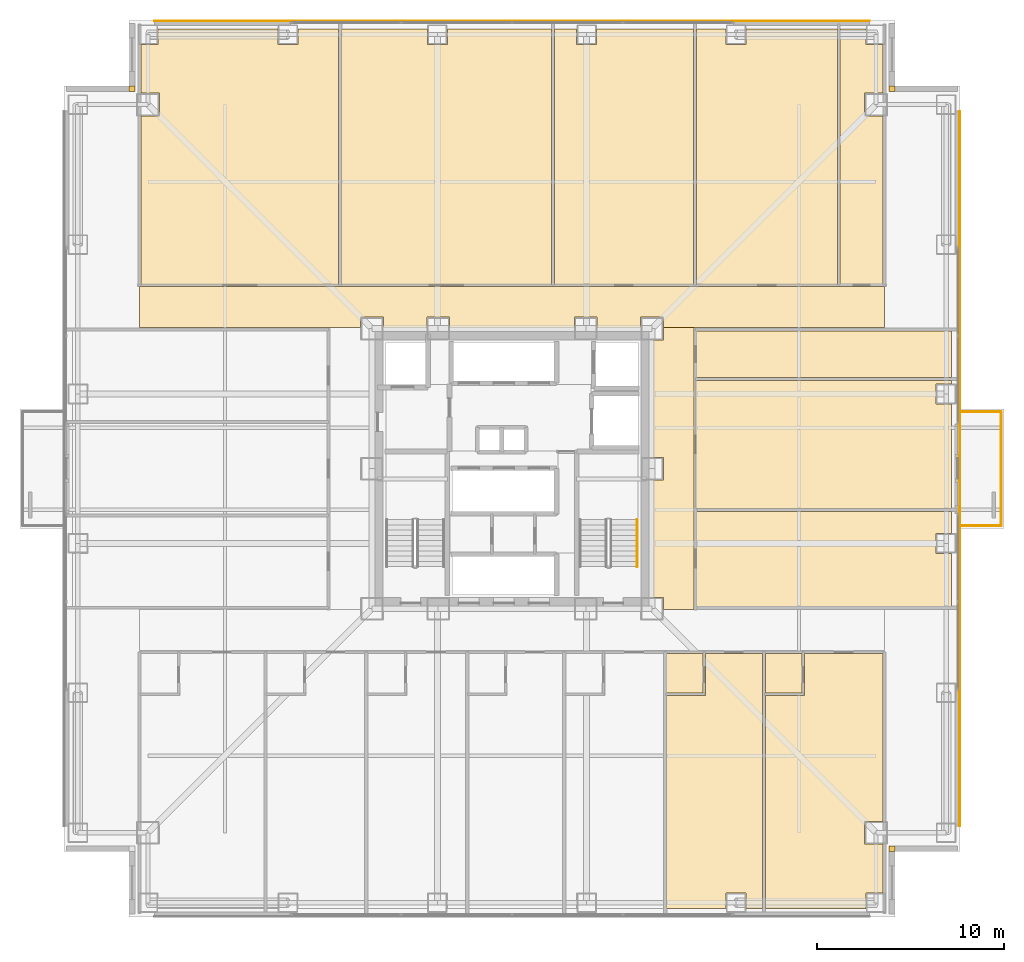
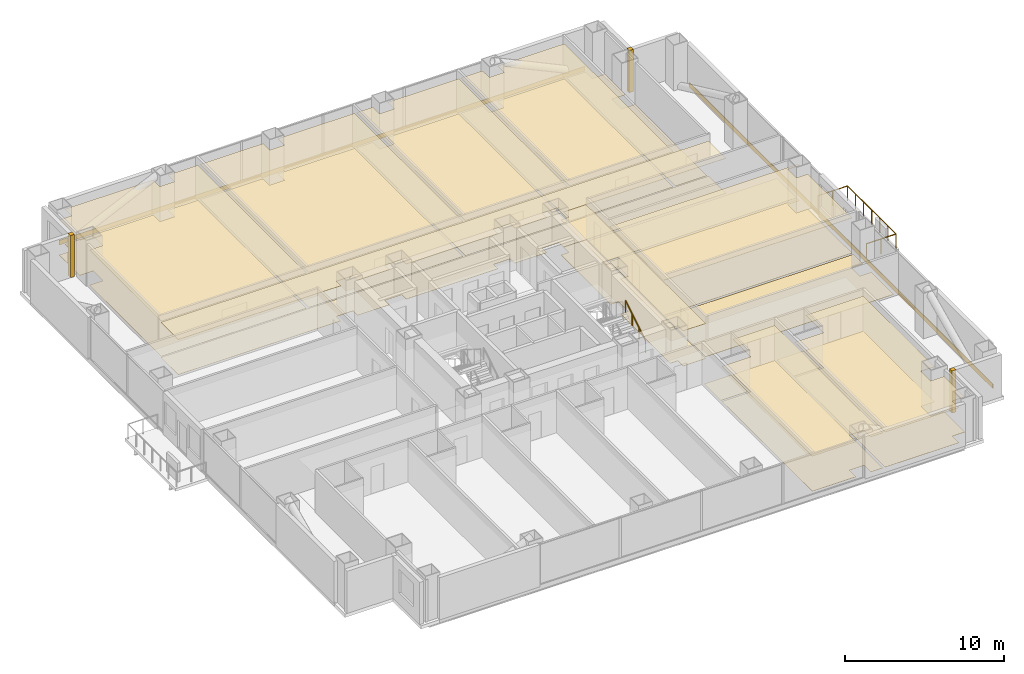
# One storey, part 20 of 20: 28 coverings, 4 railings.
"""IFC4 building model written with IfcOpenShell, lengths in metres."""

from ifc_helpers import new_model, si_unit, direction, frame, frame_2d, origin, origin_2d, place, context, subcontext, project, spatial, polyline, rectangle, circle, outline, extrude, material, layer, layer_set, type_object, element, save


model = new_model("IFC4")

# Units and contexts
model_context = context("Model", 3, precision=1e-05, world=origin(), true_north=direction((0.0, 1.0)))
body_context = subcontext(model_context, "Body", "Model", "MODEL_VIEW")
ifc_project = project(units=[si_unit("LENGTHUNIT", "METRE"), si_unit("AREAUNIT", "SQUARE_METRE"), si_unit("VOLUMEUNIT", "CUBIC_METRE"), si_unit("PLANEANGLEUNIT", "RADIAN"), si_unit("MASSUNIT", "GRAM", prefix="KILO")], contexts=[model_context])

# Site, building, storey
site_placement = place(None, origin())
site = spatial("IfcSite", under=ifc_project, at=site_placement, CompositionType="ELEMENT")
building_placement = place(site_placement, origin())
building = spatial("IfcBuilding", under=site, at=building_placement, Name="Trevonay Congress Spire", CompositionType="ELEMENT")
storey_placement = place(building_placement, frame((0.0, 0.0, 76.0)))
storey = spatial("IfcBuildingStorey", under=building, at=storey_placement, Name="L19", CompositionType="ELEMENT", Elevation=76.0)

# Coverings
ifc_material_1 = material(Name="Acoustic Mineral Fibre Board", Category="gypsum")
ifc_layer_1 = layer(ifc_material_1, 0.02490234375, Name="Acoustic Mineral Fibre Board")
ifc_layer_set_1 = layer_set([ifc_layer_1], Name="Acoustic Mineral Fibre Board")
covering_type_1 = type_object("IfcCoveringType", Name="COV-CEIL-ACOUSTIC", PredefinedType="CEILING", material=ifc_layer_set_1)
covering_1_placement = place(storey_placement, frame((0.0, 0.0, 2.699951171875)))
element("IfcCovering", 1, at=covering_1_placement, inside=storey, type_object=covering_type_1, Name="L19 Hotel Floor Corridor North acoustic suspended ceiling", PredefinedType="CEILING", context=body_context, shape_type="SweptSolid", body=[
    extrude(outline(polyline([(-19.949951171875, 7.550048828125), (-19.949951171875, 9.75), (19.949951171875, 9.75), (19.949951171875, 7.550048828125), (8.110107421875, 7.550048828125), (8.110107421875, 8.110107421875), (6.889892578125, 8.110107421875), (6.889892578125, 7.550048828125), (4.56005859375, 7.550048828125), (4.56005859375, 8.110107421875), (3.340087890625, 8.110107421875), (3.340087890625, 7.550048828125), (-3.340087890625, 7.550048828125), (-3.340087890625, 8.110107421875), (-4.56005859375, 8.110107421875), (-4.56005859375, 7.550048828125), (-6.889892578125, 7.550048828125), (-6.889892578125, 8.110107421875), (-8.110107421875, 8.110107421875), (-8.110107421875, 7.550048828125), (-19.949951171875, 7.550048828125)])), origin(), (0.0, 0.0, 1.0), 0.025146484375),
])
covering_2_placement = place(storey_placement, frame((0.0, 0.0, 2.699951171875)))
element("IfcCovering", 2, at=covering_2_placement, inside=storey, type_object=covering_type_1, Name="L19 Hotel Floor Corridor East acoustic suspended ceiling", PredefinedType="CEILING", context=body_context, shape_type="SweptSolid", body=[
    extrude(outline(polyline([(9.75, -7.550048828125), (8.110107421875, -7.550048828125), (8.110107421875, -6.889892578125), (7.550048828125, -6.889892578125), (7.550048828125, -0.610107421875), (8.110107421875, -0.610107421875), (8.110107421875, 0.610107421875), (7.550048828125, 0.610107421875), (7.550048828125, 6.889892578125), (8.110107421875, 6.889892578125), (8.110107421875, 7.550048828125), (9.75, 7.550048828125), (9.75, -7.550048828125)])), origin(), (0.0, 0.0, 1.0), 0.025146484375),
])
covering_3_placement = place(storey_placement, frame((0.0, 0.0, 2.699951171875)))
element("IfcCovering", 3, at=covering_3_placement, inside=storey, type_object=covering_type_1, Name="L19 Corner Hotel Suite acoustic suspended ceiling", PredefinedType="CEILING", context=body_context, shape_type="SweptSolid", body=[
    extrude(outline(polyline([(8.280029296875, -23.550048828125), (8.280029296875, -12.139892578125), (10.3701171875, -12.139892578125), (10.3701171875, -9.909912109375), (13.419921875, -9.909912109375), (13.419921875, -23.550048828125), (12.534912109375, -23.550048828125), (12.534912109375, -22.715087890625), (11.465087890625, -22.715087890625), (11.465087890625, -23.550048828125), (8.280029296875, -23.550048828125)])), origin(), (0.0, 0.0, 1.0), 0.025146484375),
])
covering_4_placement = place(storey_placement, frame((0.0, 0.0, 2.699951171875)))
element("IfcCovering", 4, at=covering_4_placement, inside=storey, type_object=covering_type_1, Name="L19 Corner Hotel Suite acoustic suspended ceiling", PredefinedType="CEILING", context=body_context, shape_type="SweptSolid", body=[
    extrude(outline(polyline([(13.580078125, -23.550048828125), (13.580078125, -12.139892578125), (15.669921875, -12.139892578125), (15.669921875, -9.909912109375), (19.8701171875, -9.909912109375), (19.8701171875, -18.889892578125), (18.889892578125, -18.889892578125), (18.889892578125, -20.110107421875), (19.8701171875, -20.110107421875), (19.8701171875, -22.715087890625), (18.965087890625, -22.715087890625), (18.965087890625, -23.550048828125), (13.580078125, -23.550048828125)])), origin(), (0.0, 0.0, 1.0), 0.025146484375),
])
covering_5_placement = place(storey_placement, frame((0.0, 0.0, 2.699951171875)))
element("IfcCovering", 5, at=covering_5_placement, inside=storey, type_object=covering_type_1, Name="L19 Presidential Sky Lounge acoustic suspended ceiling", PredefinedType="CEILING", context=body_context, shape_type="SweptSolid", body=[
    extrude(outline(polyline([(-9.280029296875, 23.550048828125), (-9.280029296875, 9.830078125), (-19.8701171875, 9.830078125), (-19.8701171875, 18.889892578125), (-18.889892578125, 18.889892578125), (-18.889892578125, 20.110107421875), (-19.8701171875, 20.110107421875), (-19.8701171875, 22.715087890625), (-18.965087890625, 22.715087890625), (-18.965087890625, 23.550048828125), (-12.534912109375, 23.550048828125), (-12.534912109375, 22.715087890625), (-11.465087890625, 22.715087890625), (-11.465087890625, 23.550048828125), (-9.280029296875, 23.550048828125)])), origin(), (0.0, 0.0, 1.0), 0.025146484375),
])
covering_6_placement = place(storey_placement, frame((0.0, 0.0, 2.699951171875)))
element("IfcCovering", 6, at=covering_6_placement, inside=storey, type_object=covering_type_1, Name="L19 Diplomatic Reception Salon acoustic suspended ceiling", PredefinedType="CEILING", context=body_context, shape_type="SweptSolid", body=[
    extrude(outline(polyline([(2.1201171875, 23.550048828125), (2.1201171875, 9.830078125), (-9.1201171875, 9.830078125), (-9.1201171875, 23.550048828125), (-4.534912109375, 23.550048828125), (-4.534912109375, 22.715087890625), (-3.465087890625, 22.715087890625), (-3.465087890625, 23.550048828125), (2.1201171875, 23.550048828125)])), origin(), (0.0, 0.0, 1.0), 0.025146484375),
])
covering_7_placement = place(storey_placement, frame((0.0, 0.0, 2.699951171875)))
element("IfcCovering", 7, at=covering_7_placement, inside=storey, type_object=covering_type_1, Name="L19 Protocol Secretariat Office acoustic suspended ceiling", PredefinedType="CEILING", context=body_context, shape_type="SweptSolid", body=[
    extrude(outline(polyline([(9.719970703125, 23.550048828125), (9.719970703125, 9.830078125), (2.280029296875, 9.830078125), (2.280029296875, 23.550048828125), (3.465087890625, 23.550048828125), (3.465087890625, 22.715087890625), (4.534912109375, 22.715087890625), (4.534912109375, 23.550048828125), (9.719970703125, 23.550048828125)])), origin(), (0.0, 0.0, 1.0), 0.025146484375),
])
covering_8_placement = place(storey_placement, frame((0.0, 0.0, 2.699951171875)))
element("IfcCovering", 8, at=covering_8_placement, inside=storey, type_object=covering_type_1, Name="L19 Butler Catering Kitchen acoustic suspended ceiling", PredefinedType="CEILING", context=body_context, shape_type="SweptSolid", body=[
    extrude(outline(polyline([(17.419921875, 23.550048828125), (17.419921875, 9.830078125), (9.8798828125, 9.830078125), (9.8798828125, 23.550048828125), (11.465087890625, 23.550048828125), (11.465087890625, 22.715087890625), (12.534912109375, 22.715087890625), (12.534912109375, 23.550048828125), (17.419921875, 23.550048828125)])), origin(), (0.0, 0.0, 1.0), 0.025146484375),
])
covering_9_placement = place(storey_placement, frame((0.0, 0.0, 2.699951171875)))
element("IfcCovering", 9, at=covering_9_placement, inside=storey, type_object=covering_type_1, Name="L19 Penthouse Wine Pantry acoustic suspended ceiling", PredefinedType="CEILING", context=body_context, shape_type="SweptSolid", body=[
    extrude(outline(polyline([(23.550048828125, -2.1201171875), (9.830078125, -2.1201171875), (9.830078125, 4.719970703125), (23.550048828125, 4.719970703125), (23.550048828125, 4.534912109375), (22.715087890625, 4.534912109375), (22.715087890625, 3.465087890625), (23.550048828125, 3.465087890625), (23.550048828125, -2.1201171875)])), origin(), (0.0, 0.0, 1.0), 0.025146484375),
])
ifc_material_2 = material(Name="Polished Granite Floor Tile", Category="masonry")
ifc_layer_2 = layer(ifc_material_2, 0.02001953125, Name="Polished Granite Floor Tile")
ifc_layer_set_2 = layer_set([ifc_layer_2], Name="Polished Granite Floor Tile")
covering_type_2 = type_object("IfcCoveringType", Name="COV-FLOOR-STONE", PredefinedType="FLOORING", material=ifc_layer_set_2)
covering_10_placement = place(storey_placement, origin())
element("IfcCovering", 10, at=covering_10_placement, inside=storey, type_object=covering_type_2, Name="L19 Hotel Floor Corridor North floor finish", PredefinedType="FLOORING", context=body_context, shape_type="SweptSolid", body=[
    extrude(outline(polyline([(-19.949951171875, 7.550048828125), (-19.949951171875, 9.75), (19.949951171875, 9.75), (19.949951171875, 7.550048828125), (8.110107421875, 7.550048828125), (8.110107421875, 8.110107421875), (6.889892578125, 8.110107421875), (6.889892578125, 7.550048828125), (4.56005859375, 7.550048828125), (4.56005859375, 8.110107421875), (3.340087890625, 8.110107421875), (3.340087890625, 7.550048828125), (-3.340087890625, 7.550048828125), (-3.340087890625, 8.110107421875), (-4.56005859375, 8.110107421875), (-4.56005859375, 7.550048828125), (-6.889892578125, 7.550048828125), (-6.889892578125, 8.110107421875), (-8.110107421875, 8.110107421875), (-8.110107421875, 7.550048828125), (-19.949951171875, 7.550048828125)])), origin(), (0.0, 0.0, 1.0), 0.02001953125),
])
covering_11_placement = place(storey_placement, origin())
element("IfcCovering", 11, at=covering_11_placement, inside=storey, type_object=covering_type_2, Name="L19 Hotel Floor Corridor East floor finish", PredefinedType="FLOORING", context=body_context, shape_type="SweptSolid", body=[
    extrude(outline(polyline([(9.75, -7.550048828125), (8.110107421875, -7.550048828125), (8.110107421875, -6.889892578125), (7.550048828125, -6.889892578125), (7.550048828125, -0.610107421875), (8.110107421875, -0.610107421875), (8.110107421875, 0.610107421875), (7.550048828125, 0.610107421875), (7.550048828125, 6.889892578125), (8.110107421875, 6.889892578125), (8.110107421875, 7.550048828125), (9.75, 7.550048828125), (9.75, -7.550048828125)])), origin(), (0.0, 0.0, 1.0), 0.02001953125),
])
covering_12_placement = place(storey_placement, origin())
element("IfcCovering", 12, at=covering_12_placement, inside=storey, type_object=covering_type_2, Name="L19 En-suite Bathroom floor finish", PredefinedType="FLOORING", context=body_context, shape_type="SweptSolid", body=[
    extrude(outline(polyline([(8.280029296875, -12.02001953125), (10.22998046875, -12.02001953125), (10.22998046875, -9.909912109375), (8.280029296875, -9.909912109375), (8.280029296875, -12.02001953125)])), origin(), (0.0, 0.0, 1.0), 0.02001953125),
])
covering_13_placement = place(storey_placement, origin())
element("IfcCovering", 13, at=covering_13_placement, inside=storey, type_object=covering_type_2, Name="L19 En-suite Bathroom floor finish", PredefinedType="FLOORING", context=body_context, shape_type="SweptSolid", body=[
    extrude(outline(polyline([(13.580078125, -12.02001953125), (15.530029296875, -12.02001953125), (15.530029296875, -9.909912109375), (13.580078125, -9.909912109375), (13.580078125, -12.02001953125)])), origin(), (0.0, 0.0, 1.0), 0.02001953125),
])
covering_14_placement = place(storey_placement, origin())
element("IfcCovering", 14, at=covering_14_placement, inside=storey, type_object=covering_type_2, Name="L19 Butler Catering Kitchen floor finish", PredefinedType="FLOORING", context=body_context, shape_type="SweptSolid", body=[
    extrude(outline(polyline([(17.419921875, 23.550048828125), (17.419921875, 9.830078125), (9.8798828125, 9.830078125), (9.8798828125, 23.550048828125), (11.465087890625, 23.550048828125), (11.465087890625, 22.715087890625), (12.534912109375, 22.715087890625), (12.534912109375, 23.550048828125), (17.419921875, 23.550048828125)])), origin(), (0.0, 0.0, 1.0), 0.02001953125),
])
covering_15_placement = place(storey_placement, origin())
element("IfcCovering", 15, at=covering_15_placement, inside=storey, type_object=covering_type_2, Name="L19 Accessible WC floor finish", PredefinedType="FLOORING", context=body_context, shape_type="SweptSolid", body=[
    extrude(outline(polyline([(19.8701171875, 9.830078125), (17.580078125, 9.830078125), (17.580078125, 23.550048828125), (18.965087890625, 23.550048828125), (18.965087890625, 22.715087890625), (19.8701171875, 22.715087890625), (19.8701171875, 20.110107421875), (18.889892578125, 20.110107421875), (18.889892578125, 18.889892578125), (19.8701171875, 18.889892578125), (19.8701171875, 9.830078125)])), origin(), (0.0, 0.0, 1.0), 0.02001953125),
])
covering_16_placement = place(storey_placement, origin())
element("IfcCovering", 16, at=covering_16_placement, inside=storey, type_object=covering_type_2, Name="L19 Housekeeping and Linen Room floor finish", PredefinedType="FLOORING", context=body_context, shape_type="SweptSolid", body=[
    extrude(outline(polyline([(23.550048828125, -7.3701171875), (9.830078125, -7.3701171875), (9.830078125, -2.280029296875), (23.550048828125, -2.280029296875), (23.550048828125, -3.465087890625), (22.715087890625, -3.465087890625), (22.715087890625, -4.534912109375), (23.550048828125, -4.534912109375), (23.550048828125, -7.3701171875)])), origin(), (0.0, 0.0, 1.0), 0.02001953125),
])
covering_17_placement = place(storey_placement, origin())
element("IfcCovering", 17, at=covering_17_placement, inside=storey, type_object=covering_type_2, Name="L19 Penthouse Wine Pantry floor finish", PredefinedType="FLOORING", context=body_context, shape_type="SweptSolid", body=[
    extrude(outline(polyline([(23.550048828125, -2.1201171875), (9.830078125, -2.1201171875), (9.830078125, 4.719970703125), (23.550048828125, 4.719970703125), (23.550048828125, 4.534912109375), (22.715087890625, 4.534912109375), (22.715087890625, 3.465087890625), (23.550048828125, 3.465087890625), (23.550048828125, -2.1201171875)])), origin(), (0.0, 0.0, 1.0), 0.02001953125),
])
covering_18_placement = place(storey_placement, origin())
element("IfcCovering", 18, at=covering_18_placement, inside=storey, type_object=covering_type_2, Name="L19 Staff Restroom WC floor finish", PredefinedType="FLOORING", context=body_context, shape_type="SweptSolid", body=[
    extrude(outline(polyline([(9.830078125, 4.8798828125), (23.550048828125, 4.8798828125), (23.550048828125, 7.3701171875), (9.830078125, 7.3701171875), (9.830078125, 4.8798828125)])), origin(), (0.0, 0.0, 1.0), 0.02001953125),
])
ifc_material_3 = material(Name="Engineered Oak Flooring", Category="wood")
ifc_layer_3 = layer(ifc_material_3, 0.01806640625, Name="Engineered Oak Flooring")
ifc_layer_set_3 = layer_set([ifc_layer_3], Name="Engineered Oak Flooring")
covering_type_3 = type_object("IfcCoveringType", Name="COV-FLOOR-TIMBER", PredefinedType="FLOORING", material=ifc_layer_set_3)
covering_19_placement = place(storey_placement, origin())
element("IfcCovering", 19, at=covering_19_placement, inside=storey, type_object=covering_type_3, Name="L19 Corner Hotel Suite floor finish", PredefinedType="FLOORING", context=body_context, shape_type="SweptSolid", body=[
    extrude(outline(polyline([(8.280029296875, -23.550048828125), (8.280029296875, -12.139892578125), (10.3701171875, -12.139892578125), (10.3701171875, -9.909912109375), (13.419921875, -9.909912109375), (13.419921875, -23.550048828125), (12.534912109375, -23.550048828125), (12.534912109375, -22.715087890625), (11.465087890625, -22.715087890625), (11.465087890625, -23.550048828125), (8.280029296875, -23.550048828125)])), origin(), (0.0, 0.0, 1.0), 0.01806640625),
])
covering_20_placement = place(storey_placement, origin())
element("IfcCovering", 20, at=covering_20_placement, inside=storey, type_object=covering_type_3, Name="L19 Corner Hotel Suite floor finish", PredefinedType="FLOORING", context=body_context, shape_type="SweptSolid", body=[
    extrude(outline(polyline([(13.580078125, -23.550048828125), (13.580078125, -12.139892578125), (15.669921875, -12.139892578125), (15.669921875, -9.909912109375), (19.8701171875, -9.909912109375), (19.8701171875, -18.889892578125), (18.889892578125, -18.889892578125), (18.889892578125, -20.110107421875), (19.8701171875, -20.110107421875), (19.8701171875, -22.715087890625), (18.965087890625, -22.715087890625), (18.965087890625, -23.550048828125), (13.580078125, -23.550048828125)])), origin(), (0.0, 0.0, 1.0), 0.01806640625),
])
covering_21_placement = place(storey_placement, origin())
element("IfcCovering", 21, at=covering_21_placement, inside=storey, type_object=covering_type_3, Name="L19 Presidential Sky Lounge floor finish", PredefinedType="FLOORING", context=body_context, shape_type="SweptSolid", body=[
    extrude(outline(polyline([(-9.280029296875, 23.550048828125), (-9.280029296875, 9.830078125), (-19.8701171875, 9.830078125), (-19.8701171875, 18.889892578125), (-18.889892578125, 18.889892578125), (-18.889892578125, 20.110107421875), (-19.8701171875, 20.110107421875), (-19.8701171875, 22.715087890625), (-18.965087890625, 22.715087890625), (-18.965087890625, 23.550048828125), (-12.534912109375, 23.550048828125), (-12.534912109375, 22.715087890625), (-11.465087890625, 22.715087890625), (-11.465087890625, 23.550048828125), (-9.280029296875, 23.550048828125)])), origin(), (0.0, 0.0, 1.0), 0.01806640625),
])
covering_22_placement = place(storey_placement, origin())
element("IfcCovering", 22, at=covering_22_placement, inside=storey, type_object=covering_type_3, Name="L19 Diplomatic Reception Salon floor finish", PredefinedType="FLOORING", context=body_context, shape_type="SweptSolid", body=[
    extrude(outline(polyline([(2.1201171875, 23.550048828125), (2.1201171875, 9.830078125), (-9.1201171875, 9.830078125), (-9.1201171875, 23.550048828125), (-4.534912109375, 23.550048828125), (-4.534912109375, 22.715087890625), (-3.465087890625, 22.715087890625), (-3.465087890625, 23.550048828125), (2.1201171875, 23.550048828125)])), origin(), (0.0, 0.0, 1.0), 0.01806640625),
])
covering_23_placement = place(storey_placement, origin())
element("IfcCovering", 23, at=covering_23_placement, inside=storey, type_object=covering_type_3, Name="L19 Protocol Secretariat Office floor finish", PredefinedType="FLOORING", context=body_context, shape_type="SweptSolid", body=[
    extrude(outline(polyline([(9.719970703125, 23.550048828125), (9.719970703125, 9.830078125), (2.280029296875, 9.830078125), (2.280029296875, 23.550048828125), (3.465087890625, 23.550048828125), (3.465087890625, 22.715087890625), (4.534912109375, 22.715087890625), (4.534912109375, 23.550048828125), (9.719970703125, 23.550048828125)])), origin(), (0.0, 0.0, 1.0), 0.01806640625),
])
ifc_material_4 = material(Name="Pale Anodised Aluminium EN AW-6063-T6", Category="aluminium")
ifc_layer_4 = layer(ifc_material_4, 0.0400390625, Name="Pale Anodised Aluminium EN AW-6063-T6")
ifc_layer_set_4 = layer_set([ifc_layer_4], Name="Pale Anodised Aluminium EN AW-6063-T6")
covering_type_4 = type_object("IfcCoveringType", Name="COV-SPANDREL-PALE-METAL", PredefinedType="CLADDING", material=ifc_layer_set_4)
for number, where, z_axis, x_axis, name in (
    (24, (-19.14990234375, 23.97998046875, -0.239990234375), (0.0, 0.0, 1.0), (1.0, 0.0, 0.0), "L19 N pale-metal slab-edge spandrel cladding"),
    (25, (23.97998046875, -19.14990234375, -0.239990234375), (0.0, 0.0, 1.0), (0.0, 1.0, 0.0), "L19 E pale-metal slab-edge spandrel cladding"),
):
    element("IfcCovering", number, at=place(storey_placement, frame(where, z_axis=z_axis, x_axis=x_axis)), inside=storey, type_object=covering_type_4, Name=name, PredefinedType="CLADDING", context=body_context, shape_type="SweptSolid", body=[
        extrude(rectangle(XDim=38.2998046875, YDim=0.0400390625, at=frame_2d((19.14990234375, 0.0))), origin(), (0.0, 0.0, 1.0), 0.360107421875),
    ])
covering_24_placement = place(storey_placement, origin())
element("IfcCovering", 26, at=covering_24_placement, inside=storey, type_object=covering_type_4, Name="L19 SE re-entrant notch corner closure trim", PredefinedType="CLADDING", context=body_context, shape_type="SweptSolid", body=[
    extrude(outline(polyline([(20.199951171875, -20.5), (20.5, -20.5), (20.5, -20.199951171875), (20.199951171875, -20.199951171875), (20.199951171875, -20.5)])), origin(), (0.0, 0.0, 1.0), 3.25),
])
covering_25_placement = place(storey_placement, origin())
element("IfcCovering", 27, at=covering_25_placement, inside=storey, type_object=covering_type_4, Name="L19 NE re-entrant notch corner closure trim", PredefinedType="CLADDING", context=body_context, shape_type="SweptSolid", body=[
    extrude(outline(polyline([(20.199951171875, 20.199951171875), (20.5, 20.199951171875), (20.5, 20.5), (20.199951171875, 20.5), (20.199951171875, 20.199951171875)])), origin(), (0.0, 0.0, 1.0), 3.25),
])
covering_26_placement = place(storey_placement, origin())
element("IfcCovering", 28, at=covering_26_placement, inside=storey, type_object=covering_type_4, Name="L19 NW re-entrant notch corner closure trim", PredefinedType="CLADDING", context=body_context, shape_type="SweptSolid", body=[
    extrude(outline(polyline([(-20.5, 20.199951171875), (-20.199951171875, 20.199951171875), (-20.199951171875, 20.5), (-20.5, 20.5), (-20.5, 20.199951171875)])), origin(), (0.0, 0.0, 1.0), 3.25),
])

# Railings
railing_type_1 = type_object("IfcRailingType", Name="RAL-EXT-GUARD-115", PredefinedType="GUARDRAIL", material=ifc_material_4)
railing_1_placement = place(storey_placement, frame((24.050048828125, -3.050048828125, 0.0)))
element("IfcRailing", 29, at=railing_1_placement, inside=storey, type_object=railing_type_1, Name="L19 perimeter safety guard GRD-L19-TBAL-E-1", PredefinedType="GUARDRAIL", context=body_context, shape_type="SweptSolid", body=[
    extrude(circle(Radius=0.02392578125, at=origin_2d()), frame((0.0, 0.0, 1.1259765625), z_axis=(1.0, 0.0, 0.0), x_axis=(0.0, 1.0, 0.0)), (0.0, 0.0, 1.0), 2.14990234375),
    extrude(circle(Radius=0.02099609375, at=origin_2d()), origin(), (0.0, 0.0, 1.0), 1.101806640625),
    extrude(circle(Radius=0.02099609375, at=origin_2d()), frame((1.074951171875, 0.0, 0.0)), (0.0, 0.0, 1.0), 1.101806640625),
    extrude(circle(Radius=0.02099609375, at=origin_2d()), frame((2.14990234375, 0.0, 0.0)), (0.0, 0.0, 1.0), 1.101806640625),
])
railing_2_placement = place(storey_placement, frame((26.199951171875, -3.050048828125, 0.0)))
element("IfcRailing", 30, at=railing_2_placement, inside=storey, type_object=railing_type_1, Name="L19 perimeter safety guard GRD-L19-TBAL-E-2", PredefinedType="GUARDRAIL", context=body_context, shape_type="SweptSolid", body=[
    extrude(circle(Radius=0.02392578125, at=origin_2d()), frame((0.0, 0.0, 1.1259765625), z_axis=(0.0, 1.0, 0.0), x_axis=(-1.0, 0.0, 0.0)), (0.0, 0.0, 1.0), 6.10009765625),
    extrude(circle(Radius=0.02099609375, at=origin_2d()), origin(), (0.0, 0.0, 1.0), 1.101806640625),
    extrude(circle(Radius=0.02099609375, at=origin_2d()), frame((0.0, 1.0166015625, 0.0)), (0.0, 0.0, 1.0), 1.101806640625),
    extrude(circle(Radius=0.02099609375, at=origin_2d()), frame((0.0, 2.033447265625, 0.0)), (0.0, 0.0, 1.0), 1.101806640625),
    extrude(circle(Radius=0.02099609375, at=origin_2d()), frame((0.0, 3.050048828125, 0.0)), (0.0, 0.0, 1.0), 1.101806640625),
    extrude(circle(Radius=0.02099609375, at=origin_2d()), frame((0.0, 4.066650390625, 0.0)), (0.0, 0.0, 1.0), 1.101806640625),
    extrude(circle(Radius=0.02099609375, at=origin_2d()), frame((0.0, 5.08349609375, 0.0)), (0.0, 0.0, 1.0), 1.101806640625),
    extrude(circle(Radius=0.02099609375, at=origin_2d()), frame((0.0, 6.10009765625, 0.0)), (0.0, 0.0, 1.0), 1.101806640625),
])
railing_3_placement = place(storey_placement, frame((26.199951171875, 3.050048828125, 0.0)))
element("IfcRailing", 31, at=railing_3_placement, inside=storey, type_object=railing_type_1, Name="L19 perimeter safety guard GRD-L19-TBAL-E-3", PredefinedType="GUARDRAIL", context=body_context, shape_type="SweptSolid", body=[
    extrude(circle(Radius=0.02392578125, at=origin_2d()), frame((0.0, 0.0, 1.1259765625), z_axis=(-1.0, 0.0, 0.0), x_axis=(0.0, -1.0, 0.0)), (0.0, 0.0, 1.0), 2.14990234375),
    extrude(circle(Radius=0.02099609375, at=origin_2d()), origin(), (0.0, 0.0, 1.0), 1.101806640625),
    extrude(circle(Radius=0.02099609375, at=origin_2d()), frame((-1.074951171875, 0.0, 0.0)), (0.0, 0.0, 1.0), 1.101806640625),
    extrude(circle(Radius=0.02099609375, at=origin_2d()), frame((-2.14990234375, 0.0, 0.0)), (0.0, 0.0, 1.0), 1.101806640625),
])
railing_type_2 = type_object("IfcRailingType", Name="RAL-STAIR-HANDRAIL", PredefinedType="HANDRAIL", material=ifc_material_4)
railing_4_placement = place(storey_placement, frame((6.699951171875, -5.25, 0.175048828125)))
element("IfcRailing", 32, at=railing_4_placement, inside=storey, type_object=railing_type_2, Name="L19 ST-2 stair handrail 1", PredefinedType="HANDRAIL", context=body_context, shape_type="SweptSolid", body=[
    extrude(circle(Radius=0.02392578125, at=origin_2d()), frame((0.0, 0.0, 0.8759765625), z_axis=(0.0, 0.848007534815, 0.529984170421), x_axis=(-1.0, 0.0, 0.0)), (0.0, 0.0, 1.0), 2.9716796875),
    extrude(circle(Radius=0.02099609375, at=origin_2d()), origin(), (0.0, 0.0, 1.0), 0.851806640625),
    extrude(circle(Radius=0.02099609375, at=origin_2d()), frame((0.0, 0.840087890625, 0.52490234375)), (0.0, 0.0, 1.0), 0.851806640625),
    extrude(circle(Radius=0.02099609375, at=origin_2d()), frame((0.0, 1.679931640625, 1.050048828125)), (0.0, 0.0, 1.0), 0.851806640625),
    extrude(circle(Radius=0.02099609375, at=origin_2d()), frame((0.0, 2.52001953125, 1.574951171875)), (0.0, 0.0, 1.0), 0.851806640625),
])

save(model, "model.ifc")
